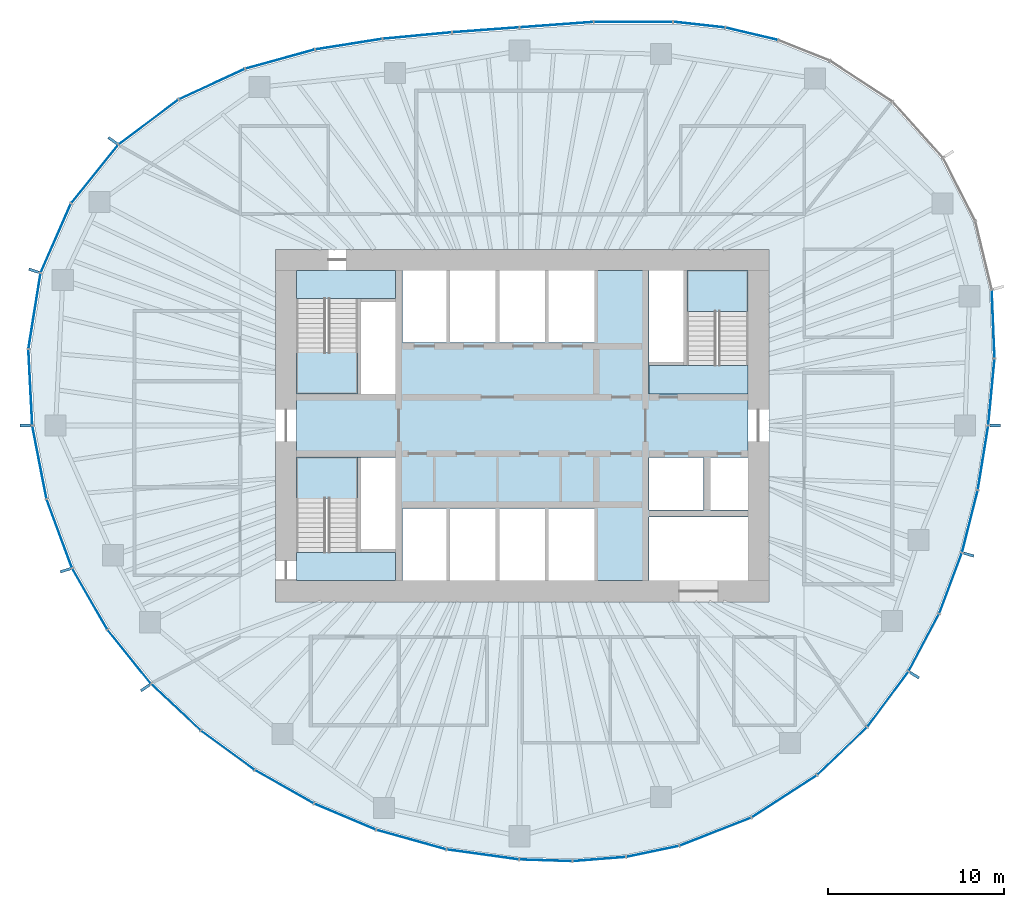
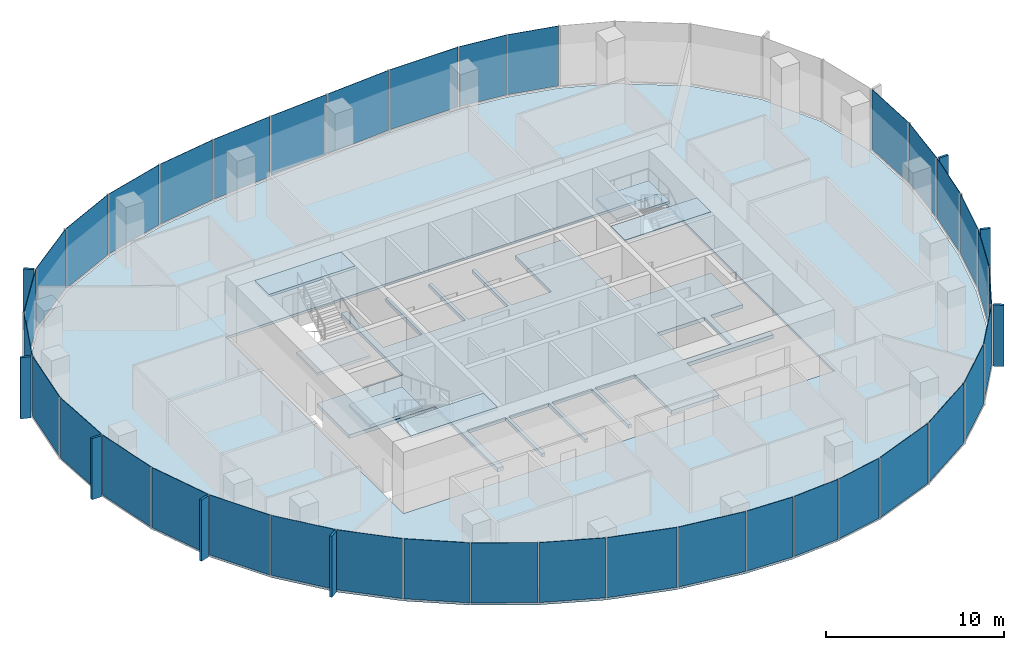
# One storey, part 7 of 11: 45 plates, 8 slabs, 21 elements without a shape of their own.
"""IFC4 building model written with IfcOpenShell, lengths in metres."""

from ifc_helpers import new_model, si_unit, direction, frame, origin, origin_2d, place, context, subcontext, project, spatial, polyline, rectangle, outline, extrude, material, layer, layer_set, type_object, element, aggregate, save


model = new_model("IFC4")

# Units and contexts
model_context = context("Model", 3, precision=1e-05, world=origin(), true_north=direction((0.0, 1.0)))
body_context = subcontext(model_context, "Body", "Model", "MODEL_VIEW")
ifc_project = project(units=[si_unit("LENGTHUNIT", "METRE"), si_unit("AREAUNIT", "SQUARE_METRE"), si_unit("VOLUMEUNIT", "CUBIC_METRE"), si_unit("PLANEANGLEUNIT", "RADIAN"), si_unit("MASSUNIT", "GRAM", prefix="KILO")], contexts=[model_context])

# Site, building, storey
site_placement = place(None, origin())
site = spatial("IfcSite", under=ifc_project, at=site_placement, CompositionType="ELEMENT")
building_placement = place(site_placement, origin())
building = spatial("IfcBuilding", under=site, at=building_placement, Name="Ghaith Harvest Tower", CompositionType="ELEMENT")
storey_placement = place(building_placement, frame((0.0, 0.0, 257.800048828125)))
storey = spatial("IfcBuildingStorey", under=building, at=storey_placement, Name="L57", CompositionType="ELEMENT", Elevation=257.800048828125)

# Curtain wall, plates
ifc_material_1 = material(Name="Black anodised aluminium and fritted glass", Category="aluminium")
curtain_wall_type = type_object("IfcCurtainWallType", Name="CW-H CURTAIN WALL", PredefinedType="NOTDEFINED", material=ifc_material_1)
curtain_wall_1_placement = place(storey_placement, origin())
curtain_wall_1 = element("IfcCurtainWall", 1, at=curtain_wall_1_placement, inside=storey, type_object=curtain_wall_type, Name="Curtain wall CW-H bay 01 L57", PredefinedType="NOTDEFINED")
ifc_material_2 = material(Name="Glass, dark solar-control fritted double glazed unit", Category="glass")
ifc_layer_1 = layer(ifc_material_2, 0.030029296875)
ifc_layer_set_1 = layer_set([ifc_layer_1], Name="CW-H VISION PANEL")
plate_type_1 = type_object("IfcPlateType", Name="CW-H VISION PANEL", PredefinedType="CURTAIN_PANEL", material=ifc_layer_set_1)
plate_1_placement = place(storey_placement, frame((26.624755859375, 1.89794921875, 0.079833984375), z_axis=(0.0, 0.0, 1.0), x_axis=(0.094301909937, 0.995543645343, 0.0)))
plate_1 = element("IfcPlate", 2, at=plate_1_placement, type_object=plate_type_1, Name="CW-H glass unit 1 bay 01 L57", PredefinedType="CURTAIN_PANEL", context=body_context, shape_type="SweptSolid", body=[
    extrude(rectangle(XDim=3.73291015625, YDim=0.030029296875, at=origin_2d()), origin(), (0.0, 0.0, 1.0), 4.1201171875),
])
plate_2_placement = place(storey_placement, frame((26.7255859375, 5.74853515625, 0.079833984375), z_axis=(0.0, 0.0, 1.0), x_axis=(-0.040462173218, 0.999181070947, 0.0)))
plate_2 = element("IfcPlate", 3, at=plate_2_placement, type_object=plate_type_1, Name="CW-H glass unit 2 bay 01 L57", PredefinedType="CURTAIN_PANEL", context=body_context, shape_type="SweptSolid", body=[
    extrude(rectangle(XDim=3.82861328125, YDim=0.030029296875, at=origin_2d()), origin(), (0.0, 0.0, 1.0), 4.1201171875),
])
aggregate(curtain_wall_1, [plate_1, plate_2])

curtain_wall_2_placement = place(storey_placement, origin())
curtain_wall_2 = element("IfcCurtainWall", 4, at=curtain_wall_2_placement, inside=storey, type_object=curtain_wall_type, Name="Curtain wall CW-H bay 04 L57", PredefinedType="NOTDEFINED")
plate_3_placement = place(storey_placement, frame((13.027099609375, 22.225341796875, 0.079833984375), z_axis=(0.0, 0.0, 1.0), x_axis=(-0.973266235028, 0.229679854916, 0.0)))
plate_3 = element("IfcPlate", 5, at=plate_3_placement, type_object=plate_type_1, Name="CW-H glass unit 2 bay 04 L57", PredefinedType="CURTAIN_PANEL", context=body_context, shape_type="SweptSolid", body=[
    extrude(rectangle(XDim=3.00244140625, YDim=0.030029296875, at=origin_2d()), origin(), (0.0, 0.0, 1.0), 4.1201171875),
])
plate_4_placement = place(storey_placement, frame((10.045654296875, 22.744384765625, 0.079833984375), z_axis=(0.0, 0.0, 1.0), x_axis=(-0.993865217442, 0.11059805405, 0.0)))
plate_4 = element("IfcPlate", 6, at=plate_4_placement, type_object=plate_type_1, Name="CW-H glass unit 3 bay 04 L57", PredefinedType="CURTAIN_PANEL", context=body_context, shape_type="SweptSolid", body=[
    extrude(rectangle(XDim=2.901123046875, YDim=0.030029296875, at=origin_2d()), origin(), (0.0, 0.0, 1.0), 4.1201171875),
])
aggregate(curtain_wall_2, [plate_3, plate_4])

curtain_wall_3_placement = place(storey_placement, origin())
curtain_wall_3 = element("IfcCurtainWall", 7, at=curtain_wall_3_placement, inside=storey, type_object=curtain_wall_type, Name="Curtain wall CW-H bay 05 L57", PredefinedType="NOTDEFINED")
plate_5_placement = place(storey_placement, frame((6.31201171875, 22.904296875, 0.079833984375), z_axis=(0.0, 0.0, 1.0), x_axis=(-0.999997643645, -0.002170876291, 0.0)))
plate_5 = element("IfcPlate", 8, at=plate_5_placement, type_object=plate_type_1, Name="CW-H glass unit 1 bay 05 L57", PredefinedType="CURTAIN_PANEL", context=body_context, shape_type="SweptSolid", body=[
    extrude(rectangle(XDim=4.4248046875, YDim=0.030029296875, at=origin_2d()), origin(), (0.0, 0.0, 1.0), 4.1201171875),
])
plate_6_placement = place(storey_placement, frame((1.952392578125, 22.744873046875, 0.079833984375), z_axis=(0.0, 0.0, 1.0), x_axis=(-0.997324570719, -0.073100619976, 0.0)))
plate_6 = element("IfcPlate", 9, at=plate_6_placement, type_object=plate_type_1, Name="CW-H glass unit 2 bay 05 L57", PredefinedType="CURTAIN_PANEL", context=body_context, shape_type="SweptSolid", body=[
    extrude(rectangle(XDim=4.1455078125, YDim=0.030029296875, at=origin_2d()), origin(), (0.0, 0.0, 1.0), 4.1201171875),
])
aggregate(curtain_wall_3, [plate_5, plate_6])

curtain_wall_4_placement = place(storey_placement, origin())
curtain_wall_4 = element("IfcCurtainWall", 10, at=curtain_wall_4_placement, inside=storey, type_object=curtain_wall_type, Name="Curtain wall CW-H bay 06 L57", PredefinedType="NOTDEFINED")
plate_7_placement = place(storey_placement, frame((-2.0693359375, 22.450439453125, 0.079833984375), z_axis=(0.0, 0.0, 1.0), x_axis=(-0.997334393671, -0.072966479985, 0.0)))
plate_7 = element("IfcPlate", 11, at=plate_7_placement, type_object=plate_type_1, Name="CW-H glass unit 1 bay 06 L57", PredefinedType="CURTAIN_PANEL", context=body_context, shape_type="SweptSolid", body=[
    extrude(rectangle(XDim=3.759765625, YDim=0.030029296875, at=origin_2d()), origin(), (0.0, 0.0, 1.0), 4.1201171875),
])
plate_8_placement = place(storey_placement, frame((-5.954345703125, 22.12548828125, 0.079833984375), z_axis=(0.0, 0.0, 1.0), x_axis=(-0.995631991968, -0.093364535934, 0.0)))
plate_8 = element("IfcPlate", 12, at=plate_8_placement, type_object=plate_type_1, Name="CW-H glass unit 2 bay 06 L57", PredefinedType="CURTAIN_PANEL", context=body_context, shape_type="SweptSolid", body=[
    extrude(rectangle(XDim=3.87744140625, YDim=0.030029296875, at=origin_2d()), origin(), (0.0, 0.0, 1.0), 4.1201171875),
])
aggregate(curtain_wall_4, [plate_7, plate_8])

curtain_wall_5_placement = place(storey_placement, origin())
curtain_wall_5 = element("IfcCurtainWall", 13, at=curtain_wall_5_placement, inside=storey, type_object=curtain_wall_type, Name="Curtain wall CW-H bay 07 L57", PredefinedType="NOTDEFINED")
plate_9_placement = place(storey_placement, frame((-9.83837890625, 21.638671875, 0.079833984375), z_axis=(0.0, 0.0, 1.0), x_axis=(-0.98777033338, -0.155915901993, 0.0)))
plate_9 = element("IfcPlate", 14, at=plate_9_placement, type_object=plate_type_1, Name="CW-H glass unit 1 bay 07 L57", PredefinedType="CURTAIN_PANEL", context=body_context, shape_type="SweptSolid", body=[
    extrude(rectangle(XDim=3.795166015625, YDim=0.030029296875, at=origin_2d()), origin(), (0.0, 0.0, 1.0), 4.1201171875),
])
plate_10_placement = place(storey_placement, frame((-13.736572265625, 20.78955078125, 0.079833984375), z_axis=(0.0, 0.0, 1.0), x_axis=(-0.964034113875, -0.26577853052, 0.0)))
plate_10 = element("IfcPlate", 15, at=plate_10_placement, type_object=plate_type_1, Name="CW-H glass unit 2 bay 07 L57", PredefinedType="CURTAIN_PANEL", context=body_context, shape_type="SweptSolid", body=[
    extrude(rectangle(XDim=4.03662109375, YDim=0.030029296875, at=origin_2d()), origin(), (0.0, 0.0, 1.0), 4.1201171875),
])
aggregate(curtain_wall_5, [plate_9, plate_10])

curtain_wall_6_placement = place(storey_placement, origin())
curtain_wall_6 = element("IfcCurtainWall", 16, at=curtain_wall_6_placement, inside=storey, type_object=curtain_wall_type, Name="Curtain wall CW-H bay 08 L57", PredefinedType="NOTDEFINED")
plate_11_placement = place(storey_placement, frame((-17.608154296875, 19.370849609375, 0.079833984375), z_axis=(0.0, 0.0, 1.0), x_axis=(-0.907814470414, -0.419372015408, 0.0)))
plate_11 = element("IfcPlate", 17, at=plate_11_placement, type_object=plate_type_1, Name="CW-H glass unit 1 bay 08 L57", PredefinedType="CURTAIN_PANEL", context=body_context, shape_type="SweptSolid", body=[
    extrude(rectangle(XDim=4.077392578125, YDim=0.030029296875, at=origin_2d()), origin(), (0.0, 0.0, 1.0), 4.1201171875),
])
plate_12_placement = place(storey_placement, frame((-21.20166015625, 17.219482421875, 0.079833984375), z_axis=(0.0, 0.0, 1.0), x_axis=(-0.800067053187, -0.599910585341, 0.0)))
plate_12 = element("IfcPlate", 18, at=plate_12_placement, type_object=plate_type_1, Name="CW-H glass unit 2 bay 08 L57", PredefinedType="CURTAIN_PANEL", context=body_context, shape_type="SweptSolid", body=[
    extrude(rectangle(XDim=4.18603515625, YDim=0.030029296875, at=origin_2d()), origin(), (0.0, 0.0, 1.0), 4.1201171875),
])
aggregate(curtain_wall_6, [plate_11, plate_12])

curtain_wall_7_placement = place(storey_placement, origin())
curtain_wall_7 = element("IfcCurtainWall", 19, at=curtain_wall_7_placement, inside=storey, type_object=curtain_wall_type, Name="Curtain wall CW-H bay 09 L57", PredefinedType="NOTDEFINED")
plate_13_placement = place(storey_placement, frame((-24.25390625, 14.270263671875, 0.079833984375), z_axis=(0.0, 0.0, 1.0), x_axis=(-0.627547637499, -0.778578167347, 0.0)))
plate_13 = element("IfcPlate", 20, at=plate_13_placement, type_object=plate_type_1, Name="CW-H glass unit 1 bay 09 L57", PredefinedType="CURTAIN_PANEL", context=body_context, shape_type="SweptSolid", body=[
    extrude(rectangle(XDim=4.208740234375, YDim=0.030029296875, at=origin_2d()), origin(), (0.0, 0.0, 1.0), 4.1201171875),
])
plate_14_placement = place(storey_placement, frame((-26.462646484375, 10.63037109375, 0.079833984375), z_axis=(0.0, 0.0, 1.0), x_axis=(-0.40121291108, -0.915984825192, 0.0)))
plate_14 = element("IfcPlate", 21, at=plate_14_placement, type_object=plate_type_1, Name="CW-H glass unit 2 bay 09 L57", PredefinedType="CURTAIN_PANEL", context=body_context, shape_type="SweptSolid", body=[
    extrude(rectangle(XDim=4.22216796875, YDim=0.030029296875, at=origin_2d()), origin(), (0.0, 0.0, 1.0), 4.1201171875),
])
aggregate(curtain_wall_7, [plate_13, plate_14])

curtain_wall_8_placement = place(storey_placement, origin())
curtain_wall_8 = element("IfcCurtainWall", 22, at=curtain_wall_8_placement, inside=storey, type_object=curtain_wall_type, Name="Curtain wall CW-H bay 10 L57", PredefinedType="NOTDEFINED")
plate_15_placement = place(storey_placement, frame((-27.670654296875, 6.49658203125, 0.079833984375), z_axis=(0.0, 0.0, 1.0), x_axis=(-0.157514341695, -0.987516699687, 0.0)))
plate_15 = element("IfcPlate", 23, at=plate_15_placement, type_object=plate_type_1, Name="CW-H glass unit 1 bay 10 L57", PredefinedType="CURTAIN_PANEL", context=body_context, shape_type="SweptSolid", body=[
    extrude(rectangle(XDim=4.301513671875, YDim=0.030029296875, at=origin_2d()), origin(), (0.0, 0.0, 1.0), 4.1201171875),
])
plate_16_placement = place(storey_placement, frame((-27.905517578125, 2.16650390625, 0.079833984375), z_axis=(0.0, 0.0, 1.0), x_axis=(0.050894857592, -0.998704016949, 0.0)))
plate_16 = element("IfcPlate", 24, at=plate_16_placement, type_object=plate_type_1, Name="CW-H glass unit 2 bay 10 L57", PredefinedType="CURTAIN_PANEL", context=body_context, shape_type="SweptSolid", body=[
    extrude(rectangle(XDim=4.2587890625, YDim=0.030029296875, at=origin_2d()), origin(), (0.0, 0.0, 1.0), 4.1201171875),
])
aggregate(curtain_wall_8, [plate_15, plate_16])

curtain_wall_9_placement = place(storey_placement, origin())
curtain_wall_9 = element("IfcCurtainWall", 25, at=curtain_wall_9_placement, inside=storey, type_object=curtain_wall_type, Name="Curtain wall CW-H bay 11 L57", PredefinedType="NOTDEFINED")
plate_17_placement = place(storey_placement, frame((-27.39013671875, -2.0869140625, 0.079833984375), z_axis=(0.0, 0.0, 1.0), x_axis=(0.190426809322, -0.981701395686, 0.0)))
plate_17 = element("IfcPlate", 26, at=plate_17_placement, type_object=plate_type_1, Name="CW-H glass unit 1 bay 11 L57", PredefinedType="CURTAIN_PANEL", context=body_context, shape_type="SweptSolid", body=[
    extrude(rectangle(XDim=4.171630859375, YDim=0.030029296875, at=origin_2d()), origin(), (0.0, 0.0, 1.0), 4.1201171875),
])
plate_18_placement = place(storey_placement, frame((-26.261962890625, -6.1337890625, 0.079833984375), z_axis=(0.0, 0.0, 1.0), x_axis=(0.346303431688, -0.938122557666, 0.0)))
plate_18 = element("IfcPlate", 27, at=plate_18_placement, type_object=plate_type_1, Name="CW-H glass unit 2 bay 11 L57", PredefinedType="CURTAIN_PANEL", context=body_context, shape_type="SweptSolid", body=[
    extrude(rectangle(XDim=4.098388671875, YDim=0.030029296875, at=origin_2d()), origin(), (0.0, 0.0, 1.0), 4.1201171875),
])
aggregate(curtain_wall_9, [plate_17, plate_18])

curtain_wall_10_placement = place(storey_placement, origin())
curtain_wall_10 = element("IfcCurtainWall", 28, at=curtain_wall_10_placement, inside=storey, type_object=curtain_wall_type, Name="Curtain wall CW-H bay 12 L57", PredefinedType="NOTDEFINED")
plate_19_placement = place(storey_placement, frame((-24.535888671875, -9.838623046875, 0.079833984375), z_axis=(0.0, 0.0, 1.0), x_axis=(0.49818018945, -0.867073525625, 0.0)))
plate_19 = element("IfcPlate", 29, at=plate_19_placement, type_object=plate_type_1, Name="CW-H glass unit 1 bay 12 L57", PredefinedType="CURTAIN_PANEL", context=body_context, shape_type="SweptSolid", body=[
    extrude(rectangle(XDim=3.945068359375, YDim=0.030029296875, at=origin_2d()), origin(), (0.0, 0.0, 1.0), 4.1201171875),
])
plate_20_placement = place(storey_placement, frame((-22.29736328125, -13.119140625, 0.079833984375), z_axis=(0.0, 0.0, 1.0), x_axis=(0.626957061695, -0.779053812513, 0.0)))
plate_20 = element("IfcPlate", 30, at=plate_20_placement, type_object=plate_type_1, Name="CW-H glass unit 2 bay 12 L57", PredefinedType="CURTAIN_PANEL", context=body_context, shape_type="SweptSolid", body=[
    extrude(rectangle(XDim=3.8623046875, YDim=0.030029296875, at=origin_2d()), origin(), (0.0, 0.0, 1.0), 4.1201171875),
])
aggregate(curtain_wall_10, [plate_19, plate_20])

curtain_wall_11_placement = place(storey_placement, origin())
curtain_wall_11 = element("IfcCurtainWall", 31, at=curtain_wall_11_placement, inside=storey, type_object=curtain_wall_type, Name="Curtain wall CW-H bay 13 L57", PredefinedType="NOTDEFINED")
plate_21_placement = place(storey_placement, frame((-19.649658203125, -15.98046875, 0.079833984375), z_axis=(0.0, 0.0, 1.0), x_axis=(0.729016864325, -0.684495735217, 0.0)))
plate_21 = element("IfcPlate", 32, at=plate_21_placement, type_object=plate_type_1, Name="CW-H glass unit 1 bay 13 L57", PredefinedType="CURTAIN_PANEL", context=body_context, shape_type="SweptSolid", body=[
    extrude(rectangle(XDim=3.793212890625, YDim=0.030029296875, at=origin_2d()), origin(), (0.0, 0.0, 1.0), 4.1201171875),
])
plate_22_placement = place(storey_placement, frame((-16.707763671875, -18.42431640625, 0.079833984375), z_axis=(0.0, 0.0, 1.0), x_axis=(0.80736351134, -0.590054370848, 0.0)))
plate_22 = element("IfcPlate", 33, at=plate_22_placement, type_object=plate_type_1, Name="CW-H glass unit 2 bay 13 L57", PredefinedType="CURTAIN_PANEL", context=body_context, shape_type="SweptSolid", body=[
    extrude(rectangle(XDim=3.710693359375, YDim=0.030029296875, at=origin_2d()), origin(), (0.0, 0.0, 1.0), 4.1201171875),
])
aggregate(curtain_wall_11, [plate_21, plate_22])

curtain_wall_12_placement = place(storey_placement, origin())
curtain_wall_12 = element("IfcCurtainWall", 34, at=curtain_wall_12_placement, inside=storey, type_object=curtain_wall_type, Name="Curtain wall CW-H bay 14 L57", PredefinedType="NOTDEFINED")
plate_23_placement = place(storey_placement, frame((-13.496337890625, -20.496826171875, 0.079833984375), z_axis=(0.0, 0.0, 1.0), x_axis=(0.869715300233, -0.493553742303, 0.0)))
plate_23 = element("IfcPlate", 35, at=plate_23_placement, type_object=plate_type_1, Name="CW-H glass unit 1 bay 14 L57", PredefinedType="CURTAIN_PANEL", context=body_context, shape_type="SweptSolid", body=[
    extrude(rectangle(XDim=3.785888671875, YDim=0.030029296875, at=origin_2d()), origin(), (0.0, 0.0, 1.0), 4.1201171875),
])
plate_24_placement = place(storey_placement, frame((-10.050537109375, -22.1962890625, 0.079833984375), z_axis=(0.0, 0.0, 1.0), x_axis=(0.921181516072, -0.389133157734, 0.0)))
plate_24 = element("IfcPlate", 36, at=plate_24_placement, type_object=plate_type_1, Name="CW-H glass unit 2 bay 14 L57", PredefinedType="CURTAIN_PANEL", context=body_context, shape_type="SweptSolid", body=[
    extrude(rectangle(XDim=3.751220703125, YDim=0.030029296875, at=origin_2d()), origin(), (0.0, 0.0, 1.0), 4.1201171875),
])
aggregate(curtain_wall_12, [plate_23, plate_24])

curtain_wall_13_placement = place(storey_placement, origin())
curtain_wall_13 = element("IfcCurtainWall", 37, at=curtain_wall_13_placement, inside=storey, type_object=curtain_wall_type, Name="Curtain wall CW-H bay 15 L57", PredefinedType="NOTDEFINED")
plate_25_placement = place(storey_placement, frame((-6.291015625, -23.49853515625, 0.079833984375), z_axis=(0.0, 0.0, 1.0), x_axis=(0.963162861349, -0.268918765647, 0.0)))
plate_25 = element("IfcPlate", 38, at=plate_25_placement, type_object=plate_type_1, Name="CW-H glass unit 1 bay 15 L57", PredefinedType="CURTAIN_PANEL", context=body_context, shape_type="SweptSolid", body=[
    extrude(rectangle(XDim=4.062744140625, YDim=0.030029296875, at=origin_2d()), origin(), (0.0, 0.0, 1.0), 4.1201171875),
])
plate_26_placement = place(storey_placement, frame((-2.232177734375, -24.34033203125, 0.079833984375), z_axis=(0.0, 0.0, 1.0), x_axis=(0.990612268407, -0.136701622823, 0.0)))
plate_26 = element("IfcPlate", 39, at=plate_26_placement, type_object=plate_type_1, Name="CW-H glass unit 2 bay 15 L57", PredefinedType="CURTAIN_PANEL", context=body_context, shape_type="SweptSolid", body=[
    extrude(rectangle(XDim=4.08642578125, YDim=0.030029296875, at=origin_2d()), origin(), (0.0, 0.0, 1.0), 4.1201171875),
])
aggregate(curtain_wall_13, [plate_25, plate_26])

curtain_wall_14_placement = place(storey_placement, origin())
curtain_wall_14 = element("IfcCurtainWall", 40, at=curtain_wall_14_placement, inside=storey, type_object=curtain_wall_type, Name="Curtain wall CW-H bay 16 L57", PredefinedType="NOTDEFINED")
plate_27_placement = place(storey_placement, frame((1.339599609375, -24.67333984375, 0.079833984375), z_axis=(0.0, 0.0, 1.0), x_axis=(0.99949125523, -0.031894054587, 0.0)))
plate_27 = element("IfcPlate", 41, at=plate_27_placement, type_object=plate_type_1, Name="CW-H glass unit 1 bay 16 L57", PredefinedType="CURTAIN_PANEL", context=body_context, shape_type="SweptSolid", body=[
    extrude(rectangle(XDim=2.937744140625, YDim=0.030029296875, at=origin_2d()), origin(), (0.0, 0.0, 1.0), 4.1201171875),
])
plate_28_placement = place(storey_placement, frame((4.37060546875, -24.60205078125, 0.079833984375), z_axis=(0.0, 0.0, 1.0), x_axis=(0.996945418782, 0.078101421048, 0.0)))
plate_28 = element("IfcPlate", 42, at=plate_28_placement, type_object=plate_type_1, Name="CW-H glass unit 2 bay 16 L57", PredefinedType="CURTAIN_PANEL", context=body_context, shape_type="SweptSolid", body=[
    extrude(rectangle(XDim=2.974853515625, YDim=0.030029296875, at=origin_2d()), origin(), (0.0, 0.0, 1.0), 4.1201171875),
])
plate_29_placement = place(storey_placement, frame((7.40478515625, -24.16650390625, 0.079833984375), z_axis=(0.0, 0.0, 1.0), x_axis=(0.978788872874, 0.204871526422, 0.0)))
plate_29 = element("IfcPlate", 43, at=plate_29_placement, type_object=plate_type_1, Name="CW-H glass unit 3 bay 16 L57", PredefinedType="CURTAIN_PANEL", context=body_context, shape_type="SweptSolid", body=[
    extrude(rectangle(XDim=3.00830078125, YDim=0.030029296875, at=origin_2d()), origin(), (0.0, 0.0, 1.0), 4.1201171875),
])
aggregate(curtain_wall_14, [plate_27, plate_28, plate_29])

curtain_wall_15_placement = place(storey_placement, origin())
curtain_wall_15 = element("IfcCurtainWall", 44, at=curtain_wall_15_placement, inside=storey, type_object=curtain_wall_type, Name="Curtain wall CW-H bay 17 L57", PredefinedType="NOTDEFINED")
plate_30_placement = place(storey_placement, frame((10.963134765625, -23.048583984375, 0.079833984375), z_axis=(0.0, 0.0, 1.0), x_axis=(0.931161161765, 0.364607858966, 0.0)))
plate_30 = element("IfcPlate", 45, at=plate_30_placement, type_object=plate_type_1, Name="CW-H glass unit 1 bay 17 L57", PredefinedType="CURTAIN_PANEL", context=body_context, shape_type="SweptSolid", body=[
    extrude(rectangle(XDim=4.316650390625, YDim=0.030029296875, at=origin_2d()), origin(), (0.0, 0.0, 1.0), 4.1201171875),
])
plate_31_placement = place(storey_placement, frame((14.869384765625, -21.042724609375, 0.079833984375), z_axis=(0.0, 0.0, 1.0), x_axis=(0.839305300126, 0.543660384045, 0.0)))
plate_31 = element("IfcPlate", 46, at=plate_31_placement, type_object=plate_type_1, Name="CW-H glass unit 2 bay 17 L57", PredefinedType="CURTAIN_PANEL", context=body_context, shape_type="SweptSolid", body=[
    extrude(rectangle(XDim=4.35107421875, YDim=0.030029296875, at=origin_2d()), origin(), (0.0, 0.0, 1.0), 4.1201171875),
])
aggregate(curtain_wall_15, [plate_30, plate_31])

curtain_wall_16_placement = place(storey_placement, origin())
curtain_wall_16 = element("IfcCurtainWall", 47, at=curtain_wall_16_placement, inside=storey, type_object=curtain_wall_type, Name="Curtain wall CW-H bay 18 L57", PredefinedType="NOTDEFINED")
plate_32_placement = place(storey_placement, frame((18.151611328125, -18.47705078125, 0.079833984375), z_axis=(0.0, 0.0, 1.0), x_axis=(0.722532585058, 0.691336866896, 0.0)))
plate_32 = element("IfcPlate", 48, at=plate_32_placement, type_object=plate_type_1, Name="CW-H glass unit 1 bay 18 L57", PredefinedType="CURTAIN_PANEL", context=body_context, shape_type="SweptSolid", body=[
    extrude(rectangle(XDim=3.85791015625, YDim=0.030029296875, at=origin_2d()), origin(), (0.0, 0.0, 1.0), 4.1201171875),
])
plate_33_placement = place(storey_placement, frame((20.74853515625, -15.53369140625, 0.079833984375), z_axis=(0.0, 0.0, 1.0), x_axis=(0.596018639888, 0.802970597784, 0.0)))
plate_33 = element("IfcPlate", 49, at=plate_33_placement, type_object=plate_type_1, Name="CW-H glass unit 2 bay 18 L57", PredefinedType="CURTAIN_PANEL", context=body_context, shape_type="SweptSolid", body=[
    extrude(rectangle(XDim=3.8603515625, YDim=0.030029296875, at=origin_2d()), origin(), (0.0, 0.0, 1.0), 4.1201171875),
])
aggregate(curtain_wall_16, [plate_32, plate_33])

curtain_wall_17_placement = place(storey_placement, origin())
curtain_wall_17 = element("IfcCurtainWall", 50, at=curtain_wall_17_placement, inside=storey, type_object=curtain_wall_type, Name="Curtain wall CW-H bay 19 L57", PredefinedType="NOTDEFINED")
plate_34_placement = place(storey_placement, frame((22.79052734375, -12.316162109375, 0.079833984375), z_axis=(0.0, 0.0, 1.0), x_axis=(0.46864379564, 0.883387226989, 0.0)))
plate_34 = element("IfcPlate", 51, at=plate_34_placement, type_object=plate_type_1, Name="CW-H glass unit 1 bay 19 L57", PredefinedType="CURTAIN_PANEL", context=body_context, shape_type="SweptSolid", body=[
    extrude(rectangle(XDim=3.623291015625, YDim=0.030029296875, at=origin_2d()), origin(), (0.0, 0.0, 1.0), 4.1201171875),
])
plate_35_placement = place(storey_placement, frame((24.30712890625, -8.946533203125, 0.079833984375), z_axis=(0.0, 0.0, 1.0), x_axis=(0.350480749824, 0.936569935457, 0.0)))
plate_35 = element("IfcPlate", 52, at=plate_35_placement, type_object=plate_type_1, Name="CW-H glass unit 2 bay 19 L57", PredefinedType="CURTAIN_PANEL", context=body_context, shape_type="SweptSolid", body=[
    extrude(rectangle(XDim=3.62255859375, YDim=0.030029296875, at=origin_2d()), origin(), (0.0, 0.0, 1.0), 4.1201171875),
])
aggregate(curtain_wall_17, [plate_34, plate_35])

curtain_wall_18_placement = place(storey_placement, origin())
curtain_wall_18 = element("IfcCurtainWall", 53, at=curtain_wall_18_placement, inside=storey, type_object=curtain_wall_type, Name="Curtain wall CW-H bay 20 L57", PredefinedType="NOTDEFINED")
plate_36_placement = place(storey_placement, frame((25.404541015625, -5.43701171875, 0.079833984375), z_axis=(0.0, 0.0, 1.0), x_axis=(0.244925945134, 0.969541789404, 0.0)))
plate_36 = element("IfcPlate", 54, at=plate_36_placement, type_object=plate_type_1, Name="CW-H glass unit 1 bay 20 L57", PredefinedType="CURTAIN_PANEL", context=body_context, shape_type="SweptSolid", body=[
    extrude(rectangle(XDim=3.583251953125, YDim=0.030029296875, at=origin_2d()), origin(), (0.0, 0.0, 1.0), 4.1201171875),
])
plate_37_placement = place(storey_placement, frame((26.14892578125, -1.83056640625, 0.079833984375), z_axis=(0.0, 0.0, 1.0), x_axis=(0.159600748097, 0.987181645497, 0.0)))
plate_37 = element("IfcPlate", 55, at=plate_37_placement, type_object=plate_type_1, Name="CW-H glass unit 2 bay 20 L57", PredefinedType="CURTAIN_PANEL", context=body_context, shape_type="SweptSolid", body=[
    extrude(rectangle(XDim=3.628662109375, YDim=0.030029296875, at=origin_2d()), origin(), (0.0, 0.0, 1.0), 4.1201171875),
])
aggregate(curtain_wall_18, [plate_36, plate_37])

# Slabs
ifc_material_3 = material(Name="Concrete C40/50", Category="concrete")
ifc_layer_2 = layer(ifc_material_3, 0.169921875)
ifc_layer_set_2 = layer_set([ifc_layer_2], Name="FLOOR SLAB 170")
slab_type_1 = type_object("IfcSlabType", Name="FLOOR SLAB 170", PredefinedType="FLOOR", material=ifc_layer_set_2)
slab_1_placement = place(storey_placement, frame((0.0, 0.0, -0.170166015625)))
element("IfcSlab", 56, at=slab_1_placement, inside=storey, type_object=slab_type_1, Name="Floor slab L57", PredefinedType="FLOOR", context=body_context, shape_type="SweptSolid", body=[
    extrude(outline(polyline([(26.324951171875, 0.0), (26.685791015625, 3.779052734375), (26.531005859375, 7.668212890625), (25.597900390625, 11.55615234375), (23.77294921875, 15.12939453125), (20.923095703125, 18.295166015625), (17.382080078125, 20.612548828125), (14.460693359375, 21.771484375), (11.47265625, 22.47265625), (8.522216796875, 22.796875), (4.03857421875, 22.78125), (-0.15380859375, 22.470458984375), (-3.963134765625, 22.192138671875), (-7.8837890625, 21.827880859375), (-11.694580078125, 21.2314453125), (-15.6474609375, 20.147705078125), (-19.408203125, 18.41650390625), (-22.809814453125, 15.87109375), (-25.491943359375, 12.547607421875), (-27.211181640625, 8.623779296875), (-27.897216796875, 4.314697265625), (-27.675048828125, 0.0), (-26.86669921875, -4.155517578125), (-25.424072265625, -8.057373046875), (-23.425537109375, -11.530517578125), (-20.963134765625, -14.586181640625), (-18.15087890625, -17.223388671875), (-15.10400390625, -19.447998046875), (-11.75732421875, -21.345703125), (-8.2451171875, -22.82861328125), (-4.27490234375, -23.9375), (-0.167724609375, -24.505126953125), (2.833984375, -24.602294921875), (5.865234375, -24.3662109375), (8.8740234375, -23.73779296875), (12.949462890625, -22.1435546875), (16.651611328125, -19.746337890625), (19.48388671875, -17.036865234375), (21.821533203125, -13.887451171875), (23.548828125, -10.631103515625), (24.840576171875, -7.179443359375), (25.734375, -3.644287109375), (26.324951171875, 0.0)]), holes=[polyline([(-14.0, -10.0), (14.0, -10.0), (14.0, 10.0), (-14.0, 10.0), (-14.0, -10.0)])]), origin(), (0.0, 0.0, 1.0), 0.170166015625),
])
ifc_material_4 = material(Name="Concrete C40/50", Category="concrete")
ifc_layer_3 = layer(ifc_material_4, 0.25)
ifc_layer_set_3 = layer_set([ifc_layer_3], Name="FLOOR SLAB 250")
slab_type_2 = type_object("IfcSlabType", Name="FLOOR SLAB 250", PredefinedType="FLOOR", material=ifc_layer_set_3)
slab_2_placement = place(storey_placement, frame((0.0, 0.0, -0.25)))
element("IfcSlab", 57, at=slab_2_placement, inside=storey, type_object=slab_type_2, Name="Core slab L57", PredefinedType="FLOOR", context=body_context, shape_type="SweptSolid", body=[
    extrude(outline(polyline([(-12.800048828125, 1.800048828125), (-7.199951171875, 1.800048828125), (-7.199951171875, 8.800048828125), (-6.800048828125, 8.800048828125), (-6.800048828125, 4.699951171875), (-4.300048828125, 4.699951171875), (-4.300048828125, 8.800048828125), (-4.10009765625, 8.800048828125), (-4.10009765625, 4.699951171875), (-1.5, 4.699951171875), (-1.5, 8.800048828125), (-1.300048828125, 8.800048828125), (-1.300048828125, 4.699951171875), (1.300048828125, 4.699951171875), (1.300048828125, 8.800048828125), (1.5, 8.800048828125), (1.5, 4.699951171875), (4.10009765625, 4.699951171875), (4.10009765625, 8.800048828125), (7.199951171875, 8.800048828125), (7.199951171875, 1.800048828125), (12.800048828125, 1.800048828125), (12.800048828125, -1.800048828125), (10.699951171875, -1.800048828125), (10.699951171875, -4.800048828125), (12.800048828125, -4.800048828125), (12.800048828125, -5.199951171875), (7.199951171875, -5.199951171875), (7.199951171875, -8.800048828125), (4.10009765625, -8.800048828125), (4.10009765625, -4.699951171875), (1.5, -4.699951171875), (1.5, -8.800048828125), (1.300048828125, -8.800048828125), (1.300048828125, -4.699951171875), (-1.300048828125, -4.699951171875), (-1.300048828125, -8.800048828125), (-1.5, -8.800048828125), (-1.5, -4.699951171875), (-4.10009765625, -4.699951171875), (-4.10009765625, -8.800048828125), (-4.300048828125, -8.800048828125), (-4.300048828125, -4.699951171875), (-6.800048828125, -4.699951171875), (-6.800048828125, -8.800048828125), (-7.199951171875, -8.800048828125), (-7.199951171875, -1.800048828125), (-12.800048828125, -1.800048828125), (-12.800048828125, 1.800048828125)]), holes=[polyline([(10.300048828125, -4.800048828125), (10.300048828125, -1.800048828125), (7.199951171875, -1.800048828125), (7.199951171875, -4.800048828125), (10.300048828125, -4.800048828125)])]), origin(), (0.0, 0.0, 1.0), 0.25),
])

# Stair, slabs
ifc_material_5 = material(Name="Concrete C40/50, precast", Category="concrete")
stair_type = type_object("IfcStairType", Name="CORE STAIR 24R", PredefinedType="HALF_TURN_STAIR", material=ifc_material_5)
stair_1_placement = place(storey_placement, origin())
stair_1 = element("IfcStair", 58, at=stair_1_placement, inside=storey, type_object=stair_type, Name="Stair ST1 L57", PredefinedType="HALF_TURN_STAIR")
ifc_material_6 = material(Name="Concrete C40/50, precast", Category="concrete")
ifc_layer_4 = layer(ifc_material_6, 0.179931640625)
ifc_layer_set_4 = layer_set([ifc_layer_4], Name="STAIR LANDING 180")
slab_type_3 = type_object("IfcSlabType", Name="STAIR LANDING 180", PredefinedType="LANDING", material=ifc_layer_set_4)
slab_3_placement = place(storey_placement, frame((0.0, 0.0, 1.919921875)))
slab_3 = element("IfcSlab", 59, at=slab_3_placement, type_object=slab_type_3, Name="ST1 landing 1", PredefinedType="LANDING", context=body_context, shape_type="SweptSolid", body=[
    extrude(outline(polyline([(-12.800048828125, 4.139892578125), (-12.800048828125, 1.77490234375), (-9.35009765625, 1.77490234375), (-9.35009765625, 4.139892578125), (-12.800048828125, 4.139892578125)])), origin(), (0.0, 0.0, 1.0), 0.179931640625),
])
slab_4_placement = place(storey_placement, frame((0.0, 0.0, 4.02001953125)))
slab_4 = element("IfcSlab", 60, at=slab_4_placement, type_object=slab_type_3, Name="ST1 landing 2", PredefinedType="LANDING", context=body_context, shape_type="SweptSolid", body=[
    extrude(outline(polyline([(-12.800048828125, 8.800048828125), (-12.800048828125, 7.199951171875), (-7.199951171875, 7.199951171875), (-7.199951171875, 8.800048828125), (-12.800048828125, 8.800048828125)])), origin(), (0.0, 0.0, 1.0), 0.179931640625),
])
aggregate(stair_1, [slab_3, slab_4])

stair_2_placement = place(storey_placement, origin())
stair_2 = element("IfcStair", 61, at=stair_2_placement, inside=storey, type_object=stair_type, Name="Stair ST3 L57", PredefinedType="HALF_TURN_STAIR")
slab_5_placement = place(storey_placement, frame((0.0, 0.0, 1.919921875)))
slab_5 = element("IfcSlab", 62, at=slab_5_placement, type_object=slab_type_3, Name="ST3 landing 1", PredefinedType="LANDING", context=body_context, shape_type="SweptSolid", body=[
    extrude(outline(polyline([(-12.800048828125, -4.139892578125), (-12.800048828125, -1.77490234375), (-9.35009765625, -1.77490234375), (-9.35009765625, -4.139892578125), (-12.800048828125, -4.139892578125)])), origin(), (0.0, 0.0, 1.0), 0.179931640625),
])
slab_6_placement = place(storey_placement, frame((0.0, 0.0, 4.02001953125)))
slab_6 = element("IfcSlab", 63, at=slab_6_placement, type_object=slab_type_3, Name="ST3 landing 2", PredefinedType="LANDING", context=body_context, shape_type="SweptSolid", body=[
    extrude(outline(polyline([(-12.800048828125, -8.800048828125), (-12.800048828125, -7.199951171875), (-7.199951171875, -7.199951171875), (-7.199951171875, -8.800048828125), (-12.800048828125, -8.800048828125)])), origin(), (0.0, 0.0, 1.0), 0.179931640625),
])
aggregate(stair_2, [slab_5, slab_6])

stair_3_placement = place(storey_placement, origin())
stair_3 = element("IfcStair", 64, at=stair_3_placement, inside=storey, type_object=stair_type, Name="Stair ST2 L57", PredefinedType="HALF_TURN_STAIR")
slab_7_placement = place(storey_placement, frame((0.0, 0.0, 1.919921875)))
slab_7 = element("IfcSlab", 65, at=slab_7_placement, type_object=slab_type_3, Name="ST2 landing 1", PredefinedType="LANDING", context=body_context, shape_type="SweptSolid", body=[
    extrude(outline(polyline([(12.800048828125, 6.4599609375), (12.800048828125, 8.800048828125), (9.35009765625, 8.800048828125), (9.35009765625, 6.4599609375), (12.800048828125, 6.4599609375)])), origin(), (0.0, 0.0, 1.0), 0.179931640625),
])
slab_8_placement = place(storey_placement, frame((0.0, 0.0, 4.02001953125)))
slab_8 = element("IfcSlab", 66, at=slab_8_placement, type_object=slab_type_3, Name="ST2 landing 2", PredefinedType="LANDING", context=body_context, shape_type="SweptSolid", body=[
    extrude(outline(polyline([(12.800048828125, 1.800048828125), (12.800048828125, 3.39990234375), (7.199951171875, 3.39990234375), (7.199951171875, 1.800048828125), (12.800048828125, 1.800048828125)])), origin(), (0.0, 0.0, 1.0), 0.179931640625),
])
aggregate(stair_3, [slab_7, slab_8])

# Plates
ifc_material_7 = material(Name="Glassfibre-reinforced concrete", Category="concrete")
ifc_layer_5 = layer(ifc_material_7, 0.14990234375)
ifc_layer_set_5 = layer_set([ifc_layer_5], Name="SUN-BREAKER FIN 600x150")
plate_type_2 = type_object("IfcPlateType", Name="SUN-BREAKER FIN 600x150", PredefinedType="USERDEFINED", material=ifc_layer_set_5)
for number, where, z_axis, x_axis, name in (
    (67, (26.844970703125, 0.0, 0.0), (0.0, 0.0, 1.0), (1.0, 0.0, 0.0), "Sun-breaker fin CW-H 1 bay 01 L57"),
    (68, (-23.236572265625, 16.168212890625, 0.0), (0.0, 0.0, 1.0), (-0.820845486523, 0.571150319316, 0.0), "Sun-breaker fin CW-H 1 bay 09 L57"),
    (69, (-27.70703125, 8.78076171875, 0.0), (0.0, 0.0, 1.0), (-0.953273219358, 0.302109531884, 0.0), "Sun-breaker fin CW-H 1 bay 10 L57"),
    (70, (-28.195068359375, 0.0, 0.0), (0.0, 0.0, 1.0), (-1.0, -4.19e-10, 0.0), "Sun-breaker fin CW-H 1 bay 11 L57"),
    (71, (-25.919677734375, -8.21435546875, 0.0), (0.0, 0.0, 1.0), (-0.953273219416, -0.302109531701, 0.0), "Sun-breaker fin CW-H 1 bay 12 L57"),
    (72, (-21.389892578125, -14.88330078125, 0.0), (0.0, 0.0, 1.0), (-0.820845486622, -0.571150319173, 0.0), "Sun-breaker fin CW-H 1 bay 13 L57"),
    (73, (22.26025390625, -14.16650390625, 0.0), (0.0, 0.0, 1.0), (0.84364397137, -0.536903016913, 0.0), "Sun-breaker fin CW-H 1 bay 19 L57"),
    (74, (25.340087890625, -7.32373046875, 0.0), (0.0, 0.0, 1.0), (0.960680349932, -0.277656739976, 0.0), "Sun-breaker fin CW-H 1 bay 20 L57"),
):
    element("IfcPlate", number, at=place(storey_placement, frame(where, z_axis=z_axis, x_axis=x_axis)), inside=storey, type_object=plate_type_2, Name=name, ObjectType="SUN-BREAKER FIN", PredefinedType="USERDEFINED", context=body_context, shape_type="SweptSolid", body=[
        extrude(rectangle(XDim=0.60009765625, YDim=0.14990234375, at=origin_2d()), origin(), (0.0, 0.0, 1.0), 4.199951171875),
    ])

save(model, "model.ifc")
